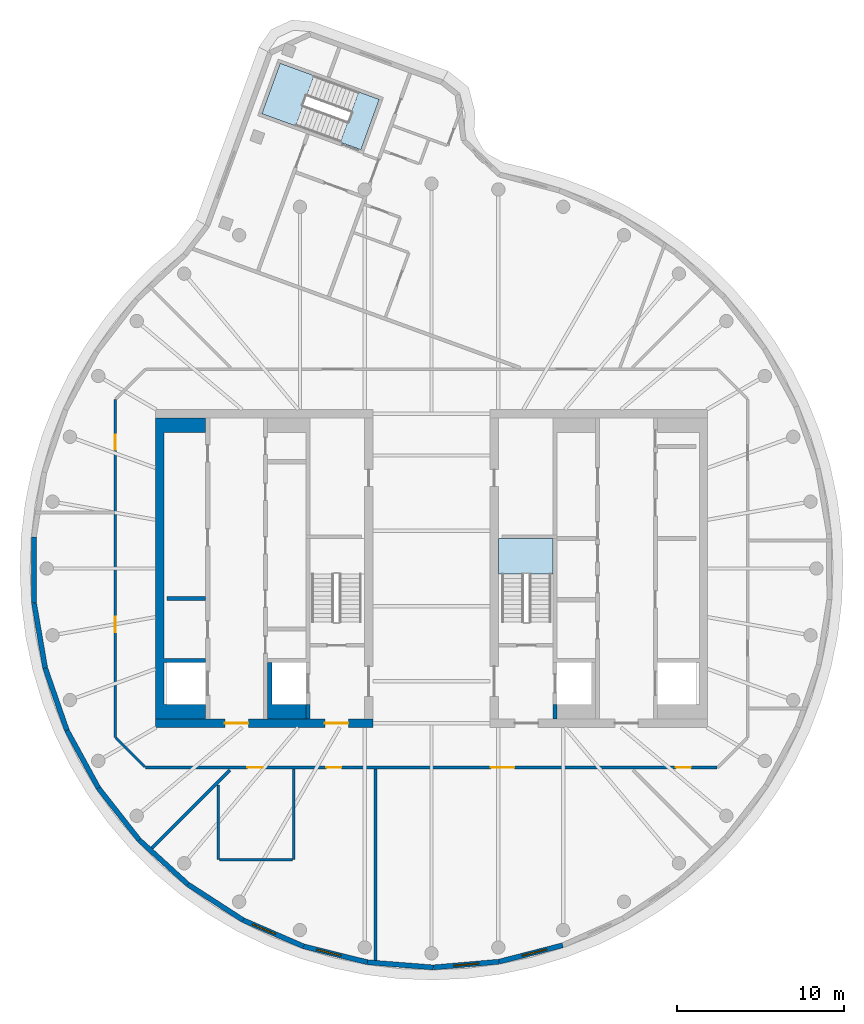
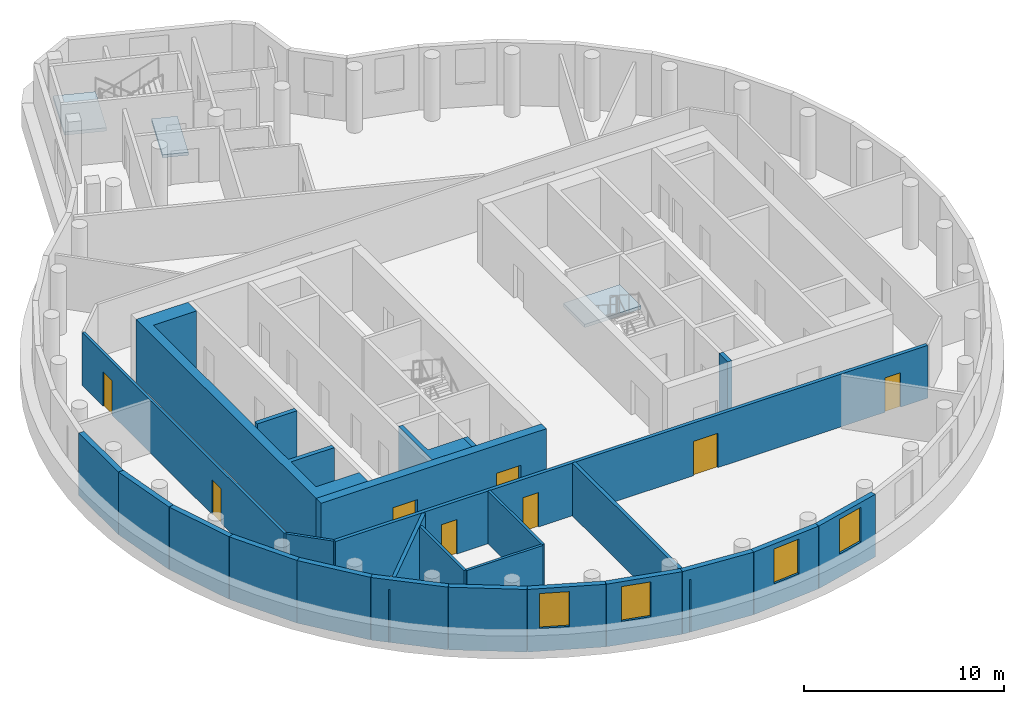
# One storey, part 2 of 7: 26 walls, 8 doors, 4 windows, 3 slabs, 12 openings, 2 elements without a shape of their own.
"""IFC4 building model written with IfcOpenShell, lengths in metres."""

from ifc_helpers import new_model, si_unit, direction, frame, frame_2d, origin, place, context, subcontext, project, spatial, polyline, rectangle, outline, extrude, material, layer, layer_set, type_object, element, fill, aggregate, save


model = new_model("IFC4")

# Units and contexts
model_context = context("Model", 3, precision=1e-05, world=origin(), true_north=direction((0.0, 1.0)))
body_context = subcontext(model_context, "Body", "Model", "MODEL_VIEW")
ifc_project = project(units=[si_unit("LENGTHUNIT", "METRE"), si_unit("AREAUNIT", "SQUARE_METRE"), si_unit("VOLUMEUNIT", "CUBIC_METRE"), si_unit("PLANEANGLEUNIT", "RADIAN"), si_unit("MASSUNIT", "GRAM", prefix="KILO")], contexts=[model_context])

# Site, building, storey
site_placement = place(None, origin())
site = spatial("IfcSite", under=ifc_project, at=site_placement, CompositionType="ELEMENT")
building_placement = place(site_placement, origin())
building = spatial("IfcBuilding", under=site, at=building_placement, Name="Tamarind Cross Interchange Tower", CompositionType="ELEMENT")
storey_placement = place(building_placement, frame((0.0, 0.0, 321.39990234375)))
storey = spatial("IfcBuildingStorey", under=building, at=storey_placement, Name="L79", CompositionType="ELEMENT", Elevation=321.39990234375)

# Slab
ifc_material_1 = material(Name="Concrete C40", Category="concrete")
ifc_layer_1 = layer(ifc_material_1, 0.179931640625)
ifc_layer_set_1 = layer_set([ifc_layer_1], Name="Concrete C40")
slab_type_1 = type_object("IfcSlabType", Name="Composite slab 180 Concrete C40", PredefinedType="FLOOR", material=ifc_layer_set_1)
slab_1_placement = place(storey_placement, frame((0.0, 0.0, -0.179931640625)))
element("IfcSlab", 1, at=slab_1_placement, inside=storey, type_object=slab_type_1, Name="Floor slab L79", PredefinedType="FLOOR", context=body_context, shape_type="SweptSolid", body=[
    extrude(outline(polyline([(-4.358154296875, 28.481201171875), (-5.45263671875, 25.47412109375), (-4.2197265625, 25.025634765625), (-3.125244140625, 28.03271484375), (-4.358154296875, 28.481201171875)])), origin(), (0.0, 0.0, 1.0), 0.179931640625),
])

# Stair, slab
ifc_material_2 = material(Name="Exit stair")
stair_type = type_object("IfcStairType", Name="Exit stair", PredefinedType="HALF_TURN_STAIR", material=ifc_material_2)
stair_1_placement = place(storey_placement, origin())
stair_1 = element("IfcStair", 2, at=stair_1_placement, inside=storey, type_object=stair_type, Name="L79 exit stair ST2", PredefinedType="HALF_TURN_STAIR")
ifc_layer_2 = layer(ifc_material_1, 0.199951171875)
ifc_layer_set_2 = layer_set([ifc_layer_2], Name="Concrete C40")
slab_type_2 = type_object("IfcSlabType", Name="Stair landing", PredefinedType="LANDING", material=ifc_layer_set_2)
slab_2_placement = place(storey_placement, frame((0.0, 0.0, 1.800048828125)))
slab_2 = element("IfcSlab", 3, at=slab_2_placement, type_object=slab_type_2, Name="ST2 landing 1", PredefinedType="LANDING", context=body_context, shape_type="SweptSolid", body=[
    extrude(outline(polyline([(7.25, -0.340087890625), (7.25, 1.800048828125), (4.0, 1.800048828125), (4.0, -0.340087890625), (7.25, -0.340087890625)])), origin(), (0.0, 0.0, 1.0), 0.199951171875),
])
aggregate(stair_1, [slab_2])

stair_2_placement = place(storey_placement, origin())
stair_2 = element("IfcStair", 4, at=stair_2_placement, inside=storey, type_object=stair_type, Name="L79 exit stair ST4", PredefinedType="HALF_TURN_STAIR")
slab_3_placement = place(storey_placement, frame((0.0, 0.0, 1.800048828125)))
slab_3 = element("IfcSlab", 5, at=slab_3_placement, type_object=slab_type_2, Name="ST4 landing 1", PredefinedType="LANDING", context=body_context, shape_type="SweptSolid", body=[
    extrude(outline(polyline([(-7.023193359375, 29.451171875), (-9.04541015625, 30.187255859375), (-10.139892578125, 27.18017578125), (-8.11767578125, 26.444091796875), (-7.023193359375, 29.451171875)])), origin(), (0.0, 0.0, 1.0), 0.199951171875),
])
aggregate(stair_2, [slab_3])

# Wall, openings, doors
ifc_material_3 = material(Name="Concrete C50", Category="concrete")
ifc_layer_3 = layer(ifc_material_3, 0.5)
ifc_layer_set_3 = layer_set([ifc_layer_3], Name="Concrete C50")
wall_type_1 = type_object("IfcWallType", Name="Core wall 500 mm Concrete C50", PredefinedType="SHEAR", material=ifc_layer_set_3)
wall_1_placement = place(storey_placement, frame((-16.5, -9.25, 0.0), z_axis=(0.0, 0.0, 1.0), x_axis=(1.0, 0.0, 0.0)))
wall_1 = element("IfcWall", 6, at=wall_1_placement, inside=storey, type_object=wall_type_1, Name="Core wall CWL-L79-W-S", PredefinedType="SHEAR", context=body_context, shape_type="SweptSolid", body=[
    extrude(rectangle(XDim=13.0, YDim=0.5, at=frame_2d((6.5, 0.0))), origin(), (0.0, 0.0, 1.0), 3.820068359375),
])
opening_1_placement = place(wall_1_placement, frame((4.14990234375, 0.0, 0.0)))
opening_1 = element("IfcOpeningElement", 7, at=opening_1_placement, cuts=wall_1, Name="Opening DCW1", PredefinedType="OPENING", context=body_context, shape_type="SweptSolid", body=[
    extrude(rectangle(XDim=1.39990234375, YDim=2.10009765625, at=frame_2d((0.699951171875, 1.050048828125))), frame((0.0, 0.260009765625, 0.0), z_axis=(0.0, -1.0, 0.0), x_axis=(1.0, 0.0, 0.0)), (0.0, 0.0, 1.0), 0.52001953125),
])
opening_2_placement = place(wall_1_placement, frame((10.125, 0.0, 0.0)))
opening_2 = element("IfcOpeningElement", 8, at=opening_2_placement, cuts=wall_1, Name="Opening DCWF", PredefinedType="OPENING", context=body_context, shape_type="SweptSolid", body=[
    extrude(rectangle(XDim=1.39990234375, YDim=2.10009765625, at=frame_2d((0.699951171875, 1.050048828125))), frame((0.0, 0.260009765625, 0.0), z_axis=(0.0, -1.0, 0.0), x_axis=(1.0, 0.0, 0.0)), (0.0, 0.0, 1.0), 0.52001953125),
])
ifc_material_4 = material(Name="Steel, fire-resisting", Category="steel")
door_type_1 = type_object("IfcDoorType", Name="Core fire door 1400 x 2100 FD90", OperationType="SINGLE_SWING_LEFT", PredefinedType="DOOR", material=ifc_material_4)
door_1_placement = place(opening_1_placement, origin())
door_1 = element("IfcDoor", 9, at=door_1_placement, inside=storey, type_object=door_type_1, Name="L79 lift lobby door", OperationType="SINGLE_SWING_LEFT", OverallHeight=2.10009765625, OverallWidth=1.39990234375, PredefinedType="DOOR", context=body_context, shape_type="SweptSolid", body=[
    extrude(rectangle(XDim=1.39990234375, YDim=2.10009765625, at=frame_2d((0.699951171875, 1.050048828125))), frame((0.0, 0.02490234375, 0.0), z_axis=(0.0, -1.0, 0.0), x_axis=(1.0, 0.0, 0.0)), (0.0, 0.0, 1.0), 0.050048828125),
])
fill(opening_1, door_1)
door_2_placement = place(opening_2_placement, origin())
door_2 = element("IfcDoor", 10, at=door_2_placement, inside=storey, type_object=door_type_1, Name="L79 firefighting lobby end door", OperationType="SINGLE_SWING_LEFT", OverallHeight=2.10009765625, OverallWidth=1.39990234375, PredefinedType="DOOR", context=body_context, shape_type="SweptSolid", body=[
    extrude(rectangle(XDim=1.39990234375, YDim=2.10009765625, at=frame_2d((0.699951171875, 1.050048828125))), frame((0.0, 0.02490234375, 0.0), z_axis=(0.0, -1.0, 0.0), x_axis=(1.0, 0.0, 0.0)), (0.0, 0.0, 1.0), 0.050048828125),
])
fill(opening_2, door_2)

# Walls
wall_2_placement = place(storey_placement, origin())
element("IfcWall", 11, at=wall_2_placement, inside=storey, type_object=wall_type_1, Name="Core wall CWL-L79-W-A", PredefinedType="SHEAR", context=body_context, shape_type="SweptSolid", body=[
    extrude(outline(polyline([(-13.5, -8.125), (-16.0, -8.125), (-16.0, -5.625), (-13.5, -5.625), (-13.5, -5.375), (-16.0, -5.375), (-16.0, 8.125), (-13.5, 8.125), (-13.5, 9.0), (-16.0, 9.0), (-16.5, 9.0), (-16.5, -9.0), (-16.0, -9.0), (-13.5, -9.0), (-13.5, -8.125)])), origin(), (0.0, 0.0, 1.0), 3.820068359375),
])
ifc_layer_4 = layer(ifc_material_3, 0.25)
ifc_layer_set_4 = layer_set([ifc_layer_4], Name="Concrete C50")
wall_type_2 = type_object("IfcWallType", Name="Core web wall 250 mm Concrete C50", PredefinedType="SHEAR", material=ifc_layer_set_4)
wall_3_placement = place(storey_placement, origin())
element("IfcWall", 12, at=wall_3_placement, inside=storey, type_object=wall_type_2, Name="Core wall CWL-L79-W-BS", PredefinedType="SHEAR", context=body_context, shape_type="SweptSolid", body=[
    extrude(outline(polyline([(-7.5, -8.125), (-9.550048828125, -8.125), (-9.550048828125, -5.625), (-9.800048828125, -5.625), (-9.800048828125, -8.125), (-9.800048828125, -9.0), (-7.5, -9.0), (-7.5, -8.125)])), origin(), (0.0, 0.0, 1.0), 3.820068359375),
])
for number, where, z_axis, x_axis, name in (
    (13, (-7.375, -9.0, 0.0), (0.0, 0.0, 1.0), (0.0, 1.0, 0.0), "Core wall CWL-L79-W-BW"),
    (14, (7.375, -9.0, 0.0), (0.0, 0.0, 1.0), (0.0, 1.0, 0.0), "Core wall CWL-L79-E-BW"),
):
    element("IfcWall", number, at=place(storey_placement, frame(where, z_axis=z_axis, x_axis=x_axis)), inside=storey, type_object=wall_type_2, Name=name, PredefinedType="SHEAR", context=body_context, shape_type="SweptSolid", body=[
        extrude(rectangle(XDim=0.875, YDim=0.25, at=frame_2d((0.4375, 0.0))), origin(), (0.0, 0.0, 1.0), 3.820068359375),
    ])
ifc_material_5 = material(Name="Gypsum board partition on steel studs", Category="steel")
ifc_layer_5 = layer(ifc_material_5, 0.14990234375)
ifc_layer_set_5 = layer_set([ifc_layer_5], Name="Gypsum board partition on steel studs")
wall_type_3 = type_object("IfcWallType", Name="Partition 150 mm EI 120", PredefinedType="PARTITIONING", material=ifc_layer_set_5)
wall_4_placement = place(storey_placement, frame((-18.87158203125, -10.12841796875, 0.0), z_axis=(0.0, 0.0, 1.0), x_axis=(0.707106781187, -0.707106781187, 0.0)))
element("IfcWall", 15, at=wall_4_placement, inside=storey, type_object=wall_type_3, Name="Partition L79-001", PredefinedType="PARTITIONING", context=body_context, shape_type="SweptSolid", body=[
    extrude(rectangle(XDim=2.455078125, YDim=0.14990234375, at=frame_2d((1.2275390625, 0.0))), origin(), (0.0, 0.0, 1.0), 3.22021484375),
])
wall_5_placement = place(storey_placement, frame((-12.68603515625, -17.39990234375, 0.0), z_axis=(0.0, 0.0, 1.0), x_axis=(1.0, 0.0, 0.0)))
element("IfcWall", 16, at=wall_5_placement, inside=storey, type_object=wall_type_3, Name="Partition L79-015", PredefinedType="PARTITIONING", context=body_context, shape_type="SweptSolid", body=[
    extrude(rectangle(XDim=4.39013671875, YDim=0.14990234375, at=frame_2d((2.195068359375, 0.0))), origin(), (0.0, 0.0, 1.0), 3.22021484375),
])

# Wall, openings, doors
wall_6_placement = place(storey_placement, frame((-18.89990234375, -10.10009765625, 0.0), z_axis=(0.0, 0.0, 1.0), x_axis=(0.0, 1.0, 0.0)))
wall_6 = element("IfcWall", 17, at=wall_6_placement, inside=storey, type_object=wall_type_3, Name="Partition L79-031", PredefinedType="PARTITIONING", context=body_context, shape_type="SweptSolid", body=[
    extrude(rectangle(XDim=20.2001953125, YDim=0.14990234375, at=frame_2d((10.10009765625, 0.0))), origin(), (0.0, 0.0, 1.0), 3.22021484375),
])
opening_3_placement = place(wall_6_placement, frame((6.300048828125, 0.0, 0.0)))
opening_3 = element("IfcOpeningElement", 18, at=opening_3_placement, cuts=wall_6, Name="Opening D15", PredefinedType="OPENING", context=body_context, shape_type="SweptSolid", body=[
    extrude(rectangle(XDim=0.89990234375, YDim=2.10009765625, at=frame_2d((0.449951171875, 1.050048828125))), frame((0.0, 0.0849609375, 0.0), z_axis=(0.0, -1.0, 0.0), x_axis=(1.0, 0.0, 0.0)), (0.0, 0.0, 1.0), 0.169921875),
])
opening_4_placement = place(wall_6_placement, frame((17.197998046875, 0.0, 0.0)))
opening_4 = element("IfcOpeningElement", 19, at=opening_4_placement, cuts=wall_6, Name="Opening D16", PredefinedType="OPENING", context=body_context, shape_type="SweptSolid", body=[
    extrude(rectangle(XDim=0.89990234375, YDim=2.10009765625, at=frame_2d((0.449951171875, 1.050048828125))), frame((0.0, 0.0849609375, 0.0), z_axis=(0.0, -1.0, 0.0), x_axis=(1.0, 0.0, 0.0)), (0.0, 0.0, 1.0), 0.169921875),
])
ifc_material_6 = material(Name="Fire-resisting door set")
door_type_2 = type_object("IfcDoorType", Name="Interior door 900 x 2100 FD60S", OperationType="SINGLE_SWING_LEFT", PredefinedType="DOOR", material=ifc_material_6)
door_3_placement = place(opening_3_placement, origin())
door_3 = element("IfcDoor", 20, at=door_3_placement, inside=storey, type_object=door_type_2, Name="Door D15", OperationType="SINGLE_SWING_RIGHT", OverallHeight=2.10009765625, OverallWidth=0.89990234375, PredefinedType="DOOR", context=body_context, shape_type="SweptSolid", body=[
    extrude(rectangle(XDim=0.89990234375, YDim=2.10009765625, at=frame_2d((0.449951171875, 1.050048828125))), frame((0.0, 0.02490234375, 0.0), z_axis=(0.0, -1.0, 0.0), x_axis=(1.0, 0.0, 0.0)), (0.0, 0.0, 1.0), 0.050048828125),
])
fill(opening_3, door_3)
door_4_placement = place(opening_4_placement, origin())
door_4 = element("IfcDoor", 21, at=door_4_placement, inside=storey, type_object=door_type_2, Name="Door D16", OperationType="SINGLE_SWING_LEFT", OverallHeight=2.10009765625, OverallWidth=0.89990234375, PredefinedType="DOOR", context=body_context, shape_type="SweptSolid", body=[
    extrude(rectangle(XDim=0.89990234375, YDim=2.10009765625, at=frame_2d((0.449951171875, 1.050048828125))), frame((0.0, 0.02490234375, 0.0), z_axis=(0.0, -1.0, 0.0), x_axis=(1.0, 0.0, 0.0)), (0.0, 0.0, 1.0), 0.050048828125),
])
fill(opening_4, door_4)

# Walls
wall_7_placement = place(storey_placement, frame((-12.740966796875, -17.39990234375, 0.0), z_axis=(0.0, 0.0, 1.0), x_axis=(0.0, 1.0, 0.0)))
element("IfcWall", 22, at=wall_7_placement, inside=storey, type_object=wall_type_3, Name="Partition L79-032", PredefinedType="PARTITIONING", context=body_context, shape_type="SweptSolid", body=[
    extrude(rectangle(XDim=4.458984375, YDim=0.14990234375, at=frame_2d((2.2294921875, 0.0))), origin(), (0.0, 0.0, 1.0), 3.22021484375),
])
wall_8_placement = place(storey_placement, frame((-8.240966796875, -17.39990234375, 0.0), z_axis=(0.0, 0.0, 1.0), x_axis=(0.0, 1.0, 0.0)))
element("IfcWall", 23, at=wall_8_placement, inside=storey, type_object=wall_type_3, Name="Partition L79-033", PredefinedType="PARTITIONING", context=body_context, shape_type="SweptSolid", body=[
    extrude(rectangle(XDim=5.419921875, YDim=0.14990234375, at=frame_2d((2.7099609375, 0.0))), origin(), (0.0, 0.0, 1.0), 3.22021484375),
])

# Wall, openings, doors
ifc_layer_6 = layer(ifc_material_5, 0.199951171875)
ifc_layer_set_6 = layer_set([ifc_layer_6], Name="Gypsum board partition on steel studs")
wall_type_4 = type_object("IfcWallType", Name="Partition 200 mm EI 180", PredefinedType="PARTITIONING", material=ifc_layer_set_6)
wall_9_placement = place(storey_placement, frame((-17.10009765625, -11.89990234375, 0.0), z_axis=(0.0, 0.0, 1.0), x_axis=(1.0, 0.0, 0.0)))
wall_9 = element("IfcWall", 24, at=wall_9_placement, inside=storey, type_object=wall_type_4, Name="Partition L79-013", PredefinedType="PARTITIONING", context=body_context, shape_type="SweptSolid", body=[
    extrude(rectangle(XDim=34.1650390625, YDim=0.199951171875, at=frame_2d((17.08251953125, 0.0))), origin(), (0.0, 0.0, 1.0), 3.22021484375),
])
opening_5_placement = place(wall_9_placement, frame((6.10009765625, 0.0, 0.0)))
opening_5 = element("IfcOpeningElement", 25, at=opening_5_placement, cuts=wall_9, Name="Opening D04", PredefinedType="OPENING", context=body_context, shape_type="SweptSolid", body=[
    extrude(rectangle(XDim=0.89990234375, YDim=2.10009765625, at=frame_2d((0.449951171875, 1.050048828125))), frame((0.0, 0.10986328125, 0.0), z_axis=(0.0, -1.0, 0.0), x_axis=(1.0, 0.0, 0.0)), (0.0, 0.0, 1.0), 0.219970703125),
])
opening_6_placement = place(wall_9_placement, frame((20.652099609375, 0.0, 0.0)))
opening_6 = element("IfcOpeningElement", 26, at=opening_6_placement, cuts=wall_9, Name="Opening D05", PredefinedType="OPENING", context=body_context, shape_type="SweptSolid", body=[
    extrude(rectangle(XDim=1.39990234375, YDim=2.10009765625, at=frame_2d((0.699951171875, 1.050048828125))), frame((0.0, 0.10986328125, 0.0), z_axis=(0.0, -1.0, 0.0), x_axis=(1.0, 0.0, 0.0)), (0.0, 0.0, 1.0), 0.219970703125),
])
opening_7_placement = place(wall_9_placement, frame((10.80908203125, 0.0, 0.0)))
opening_7 = element("IfcOpeningElement", 27, at=opening_7_placement, cuts=wall_9, Name="Opening D06", PredefinedType="OPENING", context=body_context, shape_type="SweptSolid", body=[
    extrude(rectangle(XDim=0.89990234375, YDim=2.10009765625, at=frame_2d((0.449951171875, 1.050048828125))), frame((0.0, 0.10986328125, 0.0), z_axis=(0.0, -1.0, 0.0), x_axis=(1.0, 0.0, 0.0)), (0.0, 0.0, 1.0), 0.219970703125),
])
opening_8_placement = place(wall_9_placement, frame((31.699951171875, 0.0, 0.0)))
opening_8 = element("IfcOpeningElement", 28, at=opening_8_placement, cuts=wall_9, Name="Opening D07", PredefinedType="OPENING", context=body_context, shape_type="SweptSolid", body=[
    extrude(rectangle(XDim=0.89990234375, YDim=2.10009765625, at=frame_2d((0.449951171875, 1.050048828125))), frame((0.0, 0.10986328125, 0.0), z_axis=(0.0, -1.0, 0.0), x_axis=(1.0, 0.0, 0.0)), (0.0, 0.0, 1.0), 0.219970703125),
])
door_type_3 = type_object("IfcDoorType", Name="Interior door 1400 x 2100 FD120S", OperationType="DOUBLE_DOOR_SINGLE_SWING", PredefinedType="DOOR", material=ifc_material_6)
door_5_placement = place(opening_6_placement, frame((1.39990234375, 0.0, 0.0), z_axis=(0.0, 0.0, 1.0), x_axis=(-1.0, 0.0, 0.0)))
door_5 = element("IfcDoor", 29, at=door_5_placement, inside=storey, type_object=door_type_3, Name="Door D05", OperationType="DOUBLE_DOOR_SINGLE_SWING", OverallHeight=2.10009765625, OverallWidth=1.39990234375, PredefinedType="DOOR", context=body_context, shape_type="SweptSolid", body=[
    extrude(rectangle(XDim=1.39990234375, YDim=2.10009765625, at=frame_2d((0.699951171875, 1.050048828125))), frame((0.0, 0.02490234375, 0.0), z_axis=(0.0, -1.0, 0.0), x_axis=(1.0, 0.0, 0.0)), (0.0, 0.0, 1.0), 0.050048828125),
])
fill(opening_6, door_5)
door_type_4 = type_object("IfcDoorType", Name="Interior door 900 x 2100 FD120S", OperationType="SINGLE_SWING_LEFT", PredefinedType="DOOR", material=ifc_material_6)
door_6_placement = place(opening_5_placement, frame((0.89990234375, 0.0, 0.0), z_axis=(0.0, 0.0, 1.0), x_axis=(-1.0, 0.0, 0.0)))
door_6 = element("IfcDoor", 30, at=door_6_placement, inside=storey, type_object=door_type_4, Name="Door D04", OperationType="SINGLE_SWING_LEFT", OverallHeight=2.10009765625, OverallWidth=0.89990234375, PredefinedType="DOOR", context=body_context, shape_type="SweptSolid", body=[
    extrude(rectangle(XDim=0.89990234375, YDim=2.10009765625, at=frame_2d((0.449951171875, 1.050048828125))), frame((0.0, 0.02490234375, 0.0), z_axis=(0.0, -1.0, 0.0), x_axis=(1.0, 0.0, 0.0)), (0.0, 0.0, 1.0), 0.050048828125),
])
fill(opening_5, door_6)
door_7_placement = place(opening_7_placement, frame((0.89990234375, 0.0, 0.0), z_axis=(0.0, 0.0, 1.0), x_axis=(-1.0, 0.0, 0.0)))
door_7 = element("IfcDoor", 31, at=door_7_placement, inside=storey, type_object=door_type_4, Name="Door D06", OperationType="SINGLE_SWING_LEFT", OverallHeight=2.10009765625, OverallWidth=0.89990234375, PredefinedType="DOOR", context=body_context, shape_type="SweptSolid", body=[
    extrude(rectangle(XDim=0.89990234375, YDim=2.10009765625, at=frame_2d((0.449951171875, 1.050048828125))), frame((0.0, 0.02490234375, 0.0), z_axis=(0.0, -1.0, 0.0), x_axis=(1.0, 0.0, 0.0)), (0.0, 0.0, 1.0), 0.050048828125),
])
fill(opening_7, door_7)
door_8_placement = place(opening_8_placement, frame((0.89990234375, 0.0, 0.0), z_axis=(0.0, 0.0, 1.0), x_axis=(-1.0, 0.0, 0.0)))
door_8 = element("IfcDoor", 32, at=door_8_placement, inside=storey, type_object=door_type_4, Name="Door D07", OperationType="SINGLE_SWING_RIGHT", OverallHeight=2.10009765625, OverallWidth=0.89990234375, PredefinedType="DOOR", context=body_context, shape_type="SweptSolid", body=[
    extrude(rectangle(XDim=0.89990234375, YDim=2.10009765625, at=frame_2d((0.449951171875, 1.050048828125))), frame((0.0, 0.02490234375, 0.0), z_axis=(0.0, -1.0, 0.0), x_axis=(1.0, 0.0, 0.0)), (0.0, 0.0, 1.0), 0.050048828125),
])
fill(opening_8, door_8)

# Walls
wall_10_placement = place(storey_placement, frame((-16.927001953125, -16.927001953125, 0.0), z_axis=(0.0, 0.0, 1.0), x_axis=(0.707106781187, 0.707106781187, 0.0)))
element("IfcWall", 33, at=wall_10_placement, inside=storey, type_object=wall_type_4, Name="Partition L79-019", PredefinedType="PARTITIONING", context=body_context, shape_type="SweptSolid", body=[
    extrude(rectangle(XDim=6.894287109375, YDim=0.199951171875, at=frame_2d((3.447265625, 0.0))), origin(), (0.0, 0.0, 1.0), 3.22021484375),
])
wall_11_placement = place(storey_placement, frame((-3.347900390625, -23.72412109375, 0.0), z_axis=(0.0, 0.0, 1.0), x_axis=(0.0, 1.0, 0.0)))
element("IfcWall", 34, at=wall_11_placement, inside=storey, type_object=wall_type_4, Name="Partition L79-034", PredefinedType="PARTITIONING", context=body_context, shape_type="SweptSolid", body=[
    extrude(rectangle(XDim=11.744140625, YDim=0.199951171875, at=frame_2d((5.8720703125, 0.0))), origin(), (0.0, 0.0, 1.0), 3.22021484375),
])
ifc_material_7 = material(Name="Precast concrete C40", Category="concrete")
ifc_layer_7 = layer(ifc_material_7, 0.300048828125)
ifc_layer_set_7 = layer_set([ifc_layer_7], Name="Precast concrete C40")
wall_type_5 = type_object("IfcWallType", Name="Plant louvre wall", PredefinedType="SOLIDWALL", material=ifc_layer_set_7)
wall_12_placement = place(storey_placement, frame((-23.772705078125, 1.866943359375, 0.0), z_axis=(0.0, 0.0, 1.0), x_axis=(0.004339160737, -0.999990585798, 0.0)))
element("IfcWall", 35, at=wall_12_placement, inside=storey, type_object=wall_type_5, Name="EXW-L79-02-06", PredefinedType="SOLIDWALL", context=body_context, shape_type="SweptSolid", body=[
    extrude(rectangle(XDim=3.9384765625, YDim=0.300048828125, at=frame_2d((1.96923828125, 0.0))), origin(), (0.0, 0.0, 1.0), 3.820068359375),
])
wall_13_placement = place(storey_placement, frame((-23.755615234375, -2.071533203125, 0.0), z_axis=(0.0, 0.0, 1.0), x_axis=(0.168810670753, -0.985648495885, 0.0)))
element("IfcWall", 36, at=wall_13_placement, inside=storey, type_object=wall_type_5, Name="EXW-L79-02-07", PredefinedType="SOLIDWALL", context=body_context, shape_type="SweptSolid", body=[
    extrude(rectangle(XDim=3.93798828125, YDim=0.300048828125, at=frame_2d((1.968994140625, 0.0))), origin(), (0.0, 0.0, 1.0), 3.820068359375),
])
for number, where, z_axis, x_axis, name in (
    (37, (-23.0908203125, -5.953125, 0.0), (0.0, 0.0, 1.0), (0.328789892836, -0.944403095277, 0.0), "EXW-L79-02-08"),
    (38, (-21.7958984375, -9.672607421875, 0.0), (0.0, 0.0, 1.0), (0.479742253376, -0.877409465601, 0.0), "EXW-L79-02-09"),
):
    element("IfcWall", number, at=place(storey_placement, frame(where, z_axis=z_axis, x_axis=x_axis)), inside=storey, type_object=wall_type_5, Name=name, PredefinedType="SOLIDWALL", context=body_context, shape_type="SweptSolid", body=[
        extrude(rectangle(XDim=3.9384765625, YDim=0.300048828125, at=frame_2d((1.96923828125, 0.0))), origin(), (0.0, 0.0, 1.0), 3.820068359375),
    ])
wall_14_placement = place(storey_placement, frame((-19.906494140625, -13.128173828125, 0.0), z_axis=(0.0, 0.0, 1.0), x_axis=(0.617577851206, -0.786509756901, 0.0)))
element("IfcWall", 39, at=wall_14_placement, inside=storey, type_object=wall_type_5, Name="EXW-L79-02-10", PredefinedType="SOLIDWALL", context=body_context, shape_type="SweptSolid", body=[
    extrude(rectangle(XDim=3.938232421875, YDim=0.300048828125, at=frame_2d((1.96923828125, 0.0))), origin(), (0.0, 0.0, 1.0), 3.820068359375),
])
wall_15_placement = place(storey_placement, frame((-17.474365234375, -16.2255859375, 0.0), z_axis=(0.0, 0.0, 1.0), x_axis=(0.738634435884, -0.674106200926, 0.0)))
element("IfcWall", 40, at=wall_15_placement, inside=storey, type_object=wall_type_5, Name="EXW-L79-02-11", PredefinedType="SOLIDWALL", context=body_context, shape_type="SweptSolid", body=[
    extrude(rectangle(XDim=3.9384765625, YDim=0.300048828125, at=frame_2d((1.96923828125, 0.0))), origin(), (0.0, 0.0, 1.0), 3.820068359375),
])
wall_16_placement = place(storey_placement, frame((-14.565185546875, -18.880615234375, 0.0), z_axis=(0.0, 0.0, 1.0), x_axis=(0.839498632024, -0.54336180104, 0.0)))
element("IfcWall", 41, at=wall_16_placement, inside=storey, type_object=wall_type_5, Name="EXW-L79-02-12", PredefinedType="SOLIDWALL", context=body_context, shape_type="SweptSolid", body=[
    extrude(rectangle(XDim=3.938232421875, YDim=0.300048828125, at=frame_2d((1.96923828125, 0.0))), origin(), (0.0, 0.0, 1.0), 3.820068359375),
])

# Wall, opening, window
wall_17_placement = place(storey_placement, frame((-11.259033203125, -21.0205078125, 0.0), z_axis=(0.0, 0.0, 1.0), x_axis=(0.917505110173, -0.397723990735, 0.0)))
wall_17 = element("IfcWall", 42, at=wall_17_placement, inside=storey, type_object=wall_type_5, Name="EXW-L79-02-13", PredefinedType="SOLIDWALL", context=body_context, shape_type="SweptSolid", body=[
    extrude(rectangle(XDim=3.9384765625, YDim=0.300048828125, at=frame_2d((1.96923828125, 0.0))), origin(), (0.0, 0.0, 1.0), 3.820068359375),
])
opening_9_placement = place(wall_17_placement, frame((0.60009765625, 0.0, 1.39990234375)))
opening_9 = element("IfcOpeningElement", 43, at=opening_9_placement, cuts=wall_17, Name="Opening W2", PredefinedType="OPENING", context=body_context, shape_type="SweptSolid", body=[
    extrude(rectangle(XDim=1.498291015625, YDim=2.1201171875, at=frame_2d((0.7490234375, 1.06005859375))), frame((0.0, 0.159912109375, 0.0), z_axis=(0.0, -1.0, 0.0), x_axis=(1.0, 0.0, 0.0)), (0.0, 0.0, 1.0), 0.320068359375),
])
ifc_material_8 = material(Name="Aluminium louvre", Category="aluminium")
window_type = type_object("IfcWindowType", Name="Plant louvre bank", PartitioningType="SINGLE_PANEL", PredefinedType="WINDOW", material=ifc_material_8)
window_1_placement = place(opening_9_placement, origin())
window_1 = element("IfcWindow", 44, at=window_1_placement, inside=storey, type_object=window_type, Name="WIN-L79-02-13", OverallHeight=2.1201171875, OverallWidth=1.498291015625, PartitioningType="SINGLE_PANEL", PredefinedType="WINDOW", context=body_context, shape_type="SweptSolid", body=[
    extrude(rectangle(XDim=1.498291015625, YDim=2.1201171875, at=frame_2d((0.7490234375, 1.06005859375))), frame((0.0, 0.030029296875, 0.0), z_axis=(0.0, -1.0, 0.0), x_axis=(1.0, 0.0, 0.0)), (0.0, 0.0, 1.0), 0.06005859375),
])
fill(opening_9, window_1)

wall_18_placement = place(storey_placement, frame((-7.6455078125, -22.5869140625, 0.0), z_axis=(0.0, 0.0, 1.0), x_axis=(0.970440788586, -0.241339337547, 0.0)))
wall_18 = element("IfcWall", 45, at=wall_18_placement, inside=storey, type_object=wall_type_5, Name="EXW-L79-02-14", PredefinedType="SOLIDWALL", context=body_context, shape_type="SweptSolid", body=[
    extrude(rectangle(XDim=3.938232421875, YDim=0.300048828125, at=frame_2d((1.96923828125, 0.0))), origin(), (0.0, 0.0, 1.0), 3.820068359375),
])
opening_10_placement = place(wall_18_placement, frame((0.800537109375, 0.0, 1.39990234375)))
opening_10 = element("IfcOpeningElement", 46, at=opening_10_placement, cuts=wall_18, Name="Opening W2", PredefinedType="OPENING", context=body_context, shape_type="SweptSolid", body=[
    extrude(rectangle(XDim=1.508544921875, YDim=2.1201171875, at=frame_2d((0.75439453125, 1.06005859375))), frame((0.0, 0.159912109375, 0.0), z_axis=(0.0, -1.0, 0.0), x_axis=(1.0, 0.0, 0.0)), (0.0, 0.0, 1.0), 0.320068359375),
])
window_2_placement = place(opening_10_placement, origin())
window_2 = element("IfcWindow", 47, at=window_2_placement, inside=storey, type_object=window_type, Name="WIN-L79-02-14", OverallHeight=2.1201171875, OverallWidth=1.508544921875, PartitioningType="SINGLE_PANEL", PredefinedType="WINDOW", context=body_context, shape_type="SweptSolid", body=[
    extrude(rectangle(XDim=1.508544921875, YDim=2.1201171875, at=frame_2d((0.75439453125, 1.06005859375))), frame((0.0, 0.030029296875, 0.0), z_axis=(0.0, -1.0, 0.0), x_axis=(1.0, 0.0, 0.0)), (0.0, 0.0, 1.0), 0.06005859375),
])
fill(opening_10, window_2)

# Wall
wall_19_placement = place(storey_placement, frame((-3.82373046875, -23.537353515625, 0.0), z_axis=(0.0, 0.0, 1.0), x_axis=(0.996930318741, -0.078293930641, 0.0)))
element("IfcWall", 48, at=wall_19_placement, inside=storey, type_object=wall_type_5, Name="EXW-L79-02-15", PredefinedType="SOLIDWALL", context=body_context, shape_type="SweptSolid", body=[
    extrude(rectangle(XDim=3.9384765625, YDim=0.300048828125, at=frame_2d((1.96923828125, 0.0))), origin(), (0.0, 0.0, 1.0), 3.820068359375),
])

# Wall, opening, window
wall_20_placement = place(storey_placement, frame((0.1025390625, -23.845703125, 0.0), z_axis=(0.0, 0.0, 1.0), x_axis=(0.99621635874, 0.08690780505, 0.0)))
wall_20 = element("IfcWall", 49, at=wall_20_placement, inside=storey, type_object=wall_type_5, Name="EXW-L79-02-16", PredefinedType="SOLIDWALL", context=body_context, shape_type="SweptSolid", body=[
    extrude(rectangle(XDim=3.9384765625, YDim=0.300048828125, at=frame_2d((1.96923828125, 0.0))), origin(), (0.0, 0.0, 1.0), 3.820068359375),
])
opening_11_placement = place(wall_20_placement, frame((1.22119140625, 0.0, 1.39990234375)))
opening_11 = element("IfcOpeningElement", 50, at=opening_11_placement, cuts=wall_20, Name="Opening W2", PredefinedType="OPENING", context=body_context, shape_type="SweptSolid", body=[
    extrude(rectangle(XDim=1.50927734375, YDim=2.1201171875, at=frame_2d((0.754638671875, 1.06005859375))), frame((0.0, 0.159912109375, 0.0), z_axis=(0.0, -1.0, 0.0), x_axis=(1.0, 0.0, 0.0)), (0.0, 0.0, 1.0), 0.320068359375),
])
window_3_placement = place(opening_11_placement, origin())
window_3 = element("IfcWindow", 51, at=window_3_placement, inside=storey, type_object=window_type, Name="WIN-L79-02-16", OverallHeight=2.1201171875, OverallWidth=1.50927734375, PartitioningType="SINGLE_PANEL", PredefinedType="WINDOW", context=body_context, shape_type="SweptSolid", body=[
    extrude(rectangle(XDim=1.50927734375, YDim=2.1201171875, at=frame_2d((0.754638671875, 1.06005859375))), frame((0.0, 0.030029296875, 0.0), z_axis=(0.0, -1.0, 0.0), x_axis=(1.0, 0.0, 0.0)), (0.0, 0.0, 1.0), 0.06005859375),
])
fill(opening_11, window_3)

wall_21_placement = place(storey_placement, frame((4.026123046875, -23.50341796875, 0.0), z_axis=(0.0, 0.0, 1.0), x_axis=(0.968336809904, 0.24964739651, 0.0)))
wall_21 = element("IfcWall", 52, at=wall_21_placement, inside=storey, type_object=wall_type_5, Name="EXW-L79-02-17", PredefinedType="SOLIDWALL", context=body_context, shape_type="SweptSolid", body=[
    extrude(rectangle(XDim=3.938232421875, YDim=0.300048828125, at=frame_2d((1.96923828125, 0.0))), origin(), (0.0, 0.0, 1.0), 3.820068359375),
])
opening_12_placement = place(wall_21_placement, frame((1.431884765625, 0.0, 1.39990234375)))
opening_12 = element("IfcOpeningElement", 53, at=opening_12_placement, cuts=wall_21, Name="Opening W2", PredefinedType="OPENING", context=body_context, shape_type="SweptSolid", body=[
    extrude(rectangle(XDim=1.509033203125, YDim=2.1201171875, at=frame_2d((0.75439453125, 1.06005859375))), frame((0.0, 0.159912109375, 0.0), z_axis=(0.0, -1.0, 0.0), x_axis=(1.0, 0.0, 0.0)), (0.0, 0.0, 1.0), 0.320068359375),
])
window_4_placement = place(opening_12_placement, origin())
window_4 = element("IfcWindow", 54, at=window_4_placement, inside=storey, type_object=window_type, Name="WIN-L79-02-17", OverallHeight=2.1201171875, OverallWidth=1.509033203125, PartitioningType="SINGLE_PANEL", PredefinedType="WINDOW", context=body_context, shape_type="SweptSolid", body=[
    extrude(rectangle(XDim=1.509033203125, YDim=2.1201171875, at=frame_2d((0.75439453125, 1.06005859375))), frame((0.0, 0.030029296875, 0.0), z_axis=(0.0, -1.0, 0.0), x_axis=(1.0, 0.0, 0.0)), (0.0, 0.0, 1.0), 0.06005859375),
])
fill(opening_12, window_4)

# Wall
ifc_layer_8 = layer(ifc_material_1, 0.25)
ifc_layer_set_8 = layer_set([ifc_layer_8], Name="Concrete C40")
wall_type_6 = type_object("IfcWallType", Name="Shaft and lobby wall 250 mm Concrete C40", PredefinedType="PARTITIONING", material=ifc_layer_set_8)
wall_22_placement = place(storey_placement, frame((-15.800048828125, -1.7919921875, 0.0), z_axis=(0.0, 0.0, 1.0), x_axis=(1.0, 0.0, 0.0)))
element("IfcWall", 55, at=wall_22_placement, inside=storey, type_object=wall_type_6, Name="Shaft wall CWL-L79-W-FPA1", PredefinedType="PARTITIONING", context=body_context, shape_type="SweptSolid", body=[
    extrude(rectangle(XDim=2.300048828125, YDim=0.25, at=frame_2d((1.14990234375, 0.0))), origin(), (0.0, 0.0, 1.0), 3.820068359375),
])

save(model, "model.ifc")
